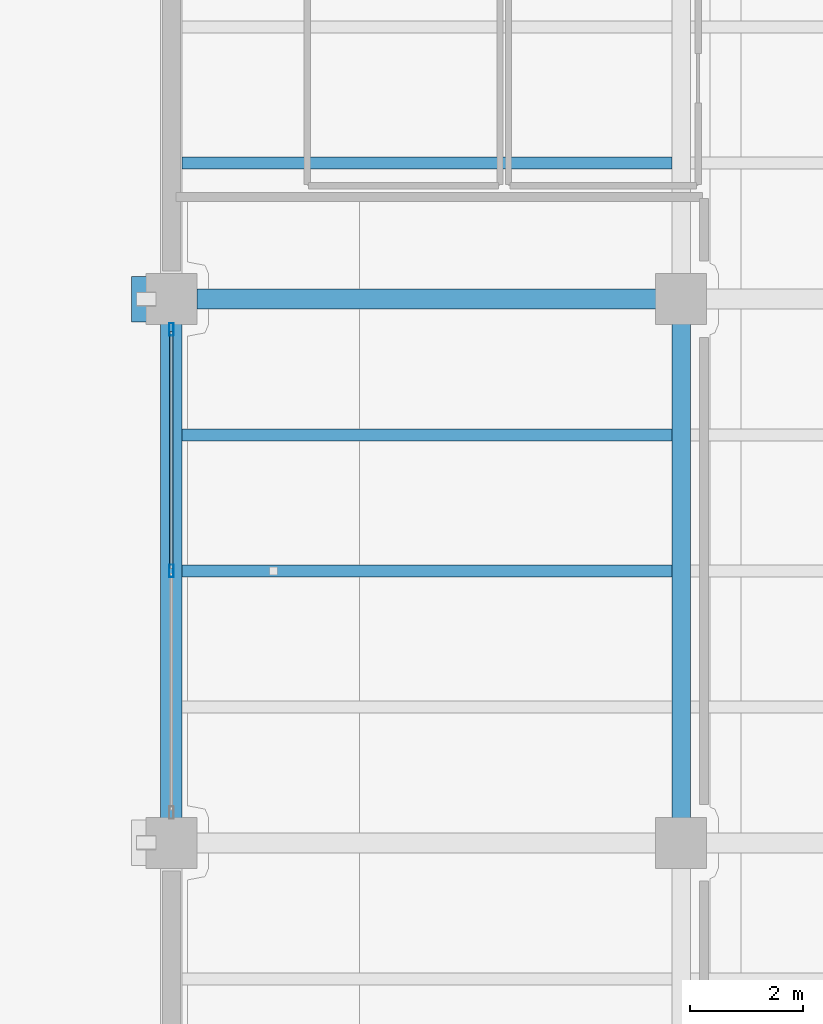
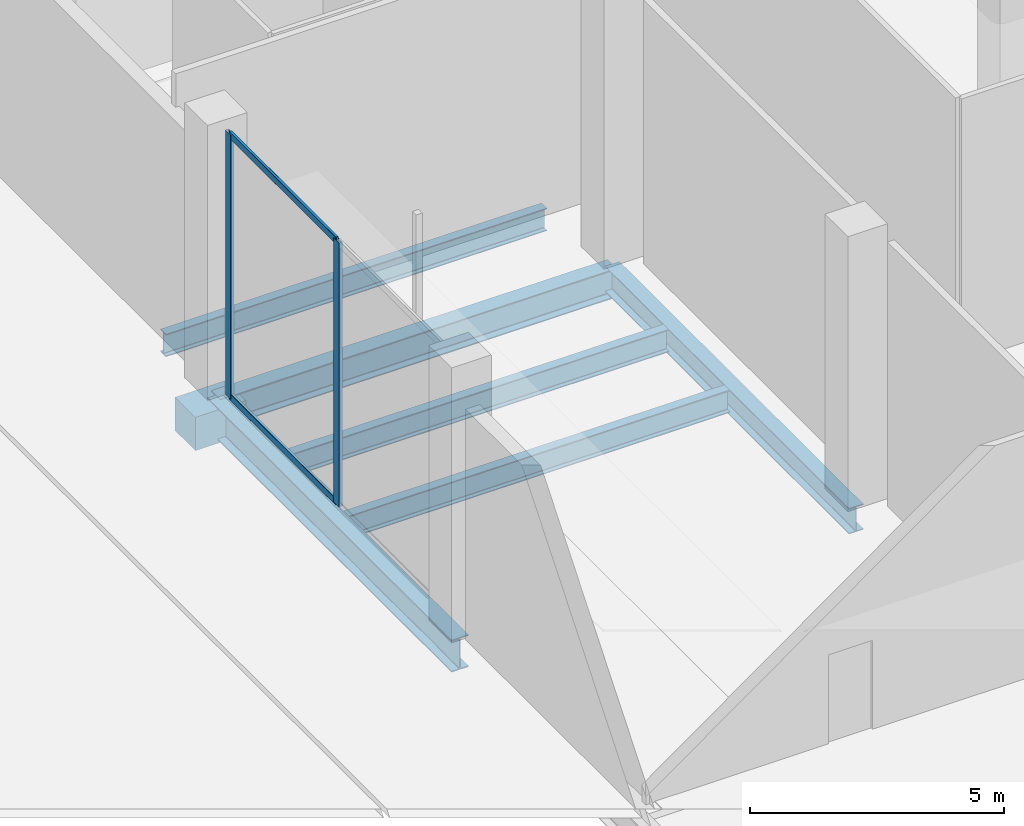
# One storey, part 10 of 45: 7 beams, 4 members, 1 element without a shape of its own.
"""IFC4 building model written with IfcOpenShell, lengths in metres."""

from ifc_helpers import new_model, si_unit, direction, frame, origin, origin_2d, place, context, subcontext, project, spatial, rectangle, hollow_rectangle, i_section, extrude, material, layer, layer_set, material_profile, profile_set, type_object, element, aggregate, save


model = new_model("IFC4")

# Units and contexts
model_context = context("Model", 3, precision=1e-05, world=origin(), true_north=direction((0.0, 1.0)))
body_context = subcontext(model_context, "Body", "Model", "MODEL_VIEW")
ifc_project = project(units=[si_unit("LENGTHUNIT", "METRE"), si_unit("AREAUNIT", "SQUARE_METRE"), si_unit("VOLUMEUNIT", "CUBIC_METRE"), si_unit("PLANEANGLEUNIT", "RADIAN"), si_unit("MASSUNIT", "GRAM", prefix="KILO")], contexts=[model_context])

# Site, building, storey
site_placement = place(None, origin())
site = spatial("IfcSite", under=ifc_project, at=site_placement, CompositionType="ELEMENT")
building_placement = place(site_placement, origin())
building = spatial("IfcBuilding", under=site, at=building_placement, Name="Qorvath Tower", CompositionType="ELEMENT")
storey_placement = place(building_placement, origin())
storey = spatial("IfcBuildingStorey", under=building, at=storey_placement, Name="L00", CompositionType="ELEMENT", Elevation=0.0)

# Beams
ifc_material_1 = material(Name="Concrete C50/60", Category="concrete")
ifc_material_profile_1 = material_profile(ifc_material_1, rectangle(XDim=0.800048828125, YDim=0.800048828125, at=origin_2d()), Name="RC 800x800")
ifc_profile_set_1 = profile_set([ifc_material_profile_1], Name="Concrete C50/60")
beam_type_1 = type_object("IfcBeamType", Name="BM-CRB1", PredefinedType="BEAM", material=ifc_profile_set_1)
beam_1_placement = place(storey_placement, frame((32.85009765625, 19.199951171875, -0.75), z_axis=(-1.0, 0.0, 0.0), x_axis=(0.0, -1.0, 0.0)))
element("IfcBeam", 1, at=beam_1_placement, inside=storey, type_object=beam_type_1, Name="MJ-1 RC Bearing Corbel Bracket 07", PredefinedType="BEAM", context=body_context, shape_type="SweptSolid", body=[
    extrude(rectangle(XDim=0.800048828125, YDim=0.800048828125, at=origin_2d()), origin(), (0.0, 0.0, 1.0), 1.150146484375),
])
ifc_material_2 = material(Name="Steel ASTM A992 Grade 50", Category="steel")
ifc_material_profile_2 = material_profile(ifc_material_2, i_section(OverallWidth=0.381103515625, OverallDepth=0.77294921875, WebThickness=0.0166015625, FlangeThickness=0.027099609375, FilletRadius=0.01904296875, at=origin_2d()), Name="W30x173")
ifc_profile_set_2 = profile_set([ifc_material_profile_2], Name="Steel ASTM A992 Grade 50")
beam_type_2 = type_object("IfcBeamType", Name="BM-FG3", PredefinedType="BEAM", material=ifc_profile_set_2)
beam_2_placement = place(storey_placement, frame((32.39990234375, 9.60009765625, -0.6865234375), z_axis=(0.0, 1.0, 0.0), x_axis=(-1.0, 0.0, 0.0)))
element("IfcBeam", 2, at=beam_2_placement, inside=storey, type_object=beam_type_2, Name="Library N-S Girder L00-1-6", PredefinedType="BEAM", context=body_context, shape_type="SweptSolid", body=[
    extrude(i_section(OverallWidth=0.381103515625, OverallDepth=0.77294921875, WebThickness=0.0166015625, FlangeThickness=0.027099609375, FilletRadius=0.01904296875, at=origin_2d()), origin(), (0.0, 0.0, 1.0), 9.599853515625),
])
ifc_material_3 = material(Name="Steel ASTM A992 Grade 50", Category="steel")
ifc_material_profile_3 = material_profile(ifc_material_3, i_section(OverallWidth=0.35595703125, OverallDepth=0.696044921875, WebThickness=0.015380859375, FlangeThickness=0.02490234375, FilletRadius=0.01806640625, at=origin_2d()), Name="W27x146")
ifc_profile_set_3 = profile_set([ifc_material_profile_3], Name="Steel ASTM A992 Grade 50")
beam_type_3 = type_object("IfcBeamType", Name="BM-FG4", PredefinedType="BEAM", material=ifc_profile_set_3)
beam_3_placement = place(storey_placement, frame((32.39990234375, 19.199951171875, -0.64794921875), z_axis=(1.0, 0.0, 0.0), x_axis=(0.0, 1.0, 0.0)))
element("IfcBeam", 3, at=beam_3_placement, inside=storey, type_object=beam_type_3, Name="Library E-W Girder L00-7-1", PredefinedType="BEAM", context=body_context, shape_type="SweptSolid", body=[
    extrude(i_section(OverallWidth=0.35595703125, OverallDepth=0.696044921875, WebThickness=0.015380859375, FlangeThickness=0.02490234375, FilletRadius=0.01806640625, at=origin_2d()), origin(), (0.0, 0.0, 1.0), 9.0),
])
ifc_material_4 = material(Name="Steel ASTM A992 Grade 50", Category="steel")
ifc_material_profile_4 = material_profile(ifc_material_4, i_section(OverallWidth=0.324951171875, OverallDepth=0.615966796875, WebThickness=0.013916015625, FlangeThickness=0.021484375, FilletRadius=0.01611328125, at=origin_2d()), Name="W24x117")
ifc_profile_set_4 = profile_set([ifc_material_profile_4], Name="Steel ASTM A992 Grade 50")
beam_type_4 = type_object("IfcBeamType", Name="BM-FG5", PredefinedType="BEAM", material=ifc_profile_set_4)
beam_4_placement = place(storey_placement, frame((41.39990234375, 9.60009765625, -0.60791015625), z_axis=(0.0, 1.0, 0.0), x_axis=(-1.0, 0.0, 0.0)))
element("IfcBeam", 4, at=beam_4_placement, inside=storey, type_object=beam_type_4, Name="Library N-S Girder L00-2-6", PredefinedType="BEAM", context=body_context, shape_type="SweptSolid", body=[
    extrude(i_section(OverallWidth=0.324951171875, OverallDepth=0.615966796875, WebThickness=0.013916015625, FlangeThickness=0.021484375, FilletRadius=0.01611328125, at=origin_2d()), origin(), (0.0, 0.0, 1.0), 9.599853515625),
])
ifc_material_5 = material(Name="Steel ASTM A992 Grade 50", Category="steel")
ifc_material_profile_5 = material_profile(ifc_material_5, i_section(OverallWidth=0.2119140625, OverallDepth=0.5439453125, WebThickness=0.01318359375, FlangeThickness=0.021240234375, FilletRadius=0.013916015625, at=origin_2d()), Name="W21x83")
ifc_profile_set_5 = profile_set([ifc_material_profile_5], Name="Steel ASTM A992 Grade 50")
beam_type_5 = type_object("IfcBeamType", Name="BM-FJ1", PredefinedType="JOIST", material=ifc_profile_set_5)
for number, where, z_axis, x_axis, name in (
    (5, (32.58837890625, 14.39990234375, -0.572021484375), (1.0, 0.0, 0.0), (0.0, 1.0, 0.0), "Library Stack Joist L00-6.2-1"),
    (6, (32.58837890625, 16.800048828125, -0.572021484375), (1.0, 0.0, 0.0), (0.0, 1.0, 0.0), "Library Stack Joist L00-6.3-1"),
    (7, (32.58837890625, 21.60009765625, -0.572021484375), (1.0, 0.0, 0.0), (0.0, 1.0, 0.0), "Library Stack Joist L00-7.1-1"),
):
    element("IfcBeam", number, at=place(storey_placement, frame(where, z_axis=z_axis, x_axis=x_axis)), inside=storey, type_object=beam_type_5, Name=name, PredefinedType="JOIST", context=body_context, shape_type="SweptSolid", body=[
        extrude(i_section(OverallWidth=0.2119140625, OverallDepth=0.5439453125, WebThickness=0.01318359375, FlangeThickness=0.021240234375, FilletRadius=0.013916015625, at=origin_2d()), origin(), (0.0, 0.0, 1.0), 8.651123046875),
    ])

# Curtain wall, members
ifc_material_6 = material(Name="Anodised aluminium and triple low-E glass", Category="aluminium")
ifc_layer = layer(ifc_material_6, 0.179931640625)
ifc_layer_set = layer_set([ifc_layer], Name="CW-SYS-6")
curtain_wall_type = type_object("IfcCurtainWallType", Name="CW-SYS-6", PredefinedType="NOTDEFINED", material=ifc_layer_set)
curtain_wall_placement = place(storey_placement, origin())
curtain_wall = element("IfcCurtainWall", 8, at=curtain_wall_placement, inside=storey, type_object=curtain_wall_type, Name="Curtain Wall CW-6 CW-LIB-W-L00-6", PredefinedType="NOTDEFINED")
ifc_material_7 = material(Name="Anodised aluminium 6063-T6", Category="aluminium")
ifc_material_profile_6 = material_profile(ifc_material_7, hollow_rectangle(XDim=0.080078125, YDim=0.219970703125, WallThickness=0.00439453125, InnerFilletRadius=0.00439453125, OuterFilletRadius=0.009033203125, at=origin_2d()), Name="CWM LIB 220x80")
ifc_profile_set_6 = profile_set([ifc_material_profile_6], Name="Anodised aluminium 6063-T6")
member_type_1 = type_object("IfcMemberType", Name="CWM-LIB", PredefinedType="MULLION", material=ifc_profile_set_6)
member_1_placement = place(storey_placement, frame((32.39990234375, 14.400146484375, 0.0), z_axis=(0.0, 0.0, 1.0), x_axis=(-1.0, 0.0, 0.0)))
member_1 = element("IfcMember", 9, at=member_1_placement, type_object=member_type_1, Name="CW-6 mullion 2", PredefinedType="MULLION", context=body_context, shape_type="SweptSolid", body=[
    extrude(hollow_rectangle(XDim=0.080078125, YDim=0.219970703125, WallThickness=0.00439453125, InnerFilletRadius=0.00439453125, OuterFilletRadius=0.009033203125, at=origin_2d()), origin(), (0.0, 0.0, 1.0), 6.340087890625),
])
member_2_placement = place(storey_placement, frame((32.39990234375, 18.6650390625, 0.0), z_axis=(0.0, 0.0, 1.0), x_axis=(-1.0, 0.0, 0.0)))
member_2 = element("IfcMember", 10, at=member_2_placement, type_object=member_type_1, Name="CW-6 mullion 3", PredefinedType="MULLION", context=body_context, shape_type="SweptSolid", body=[
    extrude(hollow_rectangle(XDim=0.080078125, YDim=0.219970703125, WallThickness=0.00439453125, InnerFilletRadius=0.00439453125, OuterFilletRadius=0.009033203125, at=origin_2d()), origin(), (0.0, 0.0, 1.0), 6.340087890625),
])
ifc_material_8 = material(Name="Anodised aluminium 6063-T6", Category="aluminium")
ifc_material_profile_7 = material_profile(ifc_material_8, hollow_rectangle(XDim=0.06494140625, YDim=0.159912109375, WallThickness=0.00341796875, InnerFilletRadius=0.00341796875, OuterFilletRadius=0.007080078125, at=origin_2d()), Name="CWT 160x65")
ifc_profile_set_7 = profile_set([ifc_material_profile_7], Name="Anodised aluminium 6063-T6")
member_type_2 = type_object("IfcMemberType", Name="CWT-160", PredefinedType="USERDEFINED", material=ifc_profile_set_7)
member_3_placement = place(storey_placement, frame((32.39990234375, 14.43994140625, 0.032470703125), z_axis=(0.0, 1.0, 0.0), x_axis=(-1.0, 0.0, 0.0)))
member_3 = element("IfcMember", 11, at=member_3_placement, type_object=member_type_2, Name="CW-6 transom 2.1", ObjectType="TRANSOM", PredefinedType="USERDEFINED", context=body_context, shape_type="SweptSolid", body=[
    extrude(hollow_rectangle(XDim=0.06494140625, YDim=0.159912109375, WallThickness=0.00341796875, InnerFilletRadius=0.00341796875, OuterFilletRadius=0.007080078125, at=origin_2d()), origin(), (0.0, 0.0, 1.0), 4.18505859375),
])
member_4_placement = place(storey_placement, frame((32.39990234375, 14.43994140625, 6.3076171875), z_axis=(0.0, 1.0, 0.0), x_axis=(-1.0, 0.0, 0.0)))
member_4 = element("IfcMember", 12, at=member_4_placement, type_object=member_type_2, Name="CW-6 transom 2.2", ObjectType="TRANSOM", PredefinedType="USERDEFINED", context=body_context, shape_type="SweptSolid", body=[
    extrude(hollow_rectangle(XDim=0.06494140625, YDim=0.159912109375, WallThickness=0.00341796875, InnerFilletRadius=0.00341796875, OuterFilletRadius=0.007080078125, at=origin_2d()), origin(), (0.0, 0.0, 1.0), 4.18505859375),
])
aggregate(curtain_wall, [member_1, member_2, member_3, member_4])

save(model, "model.ifc")
